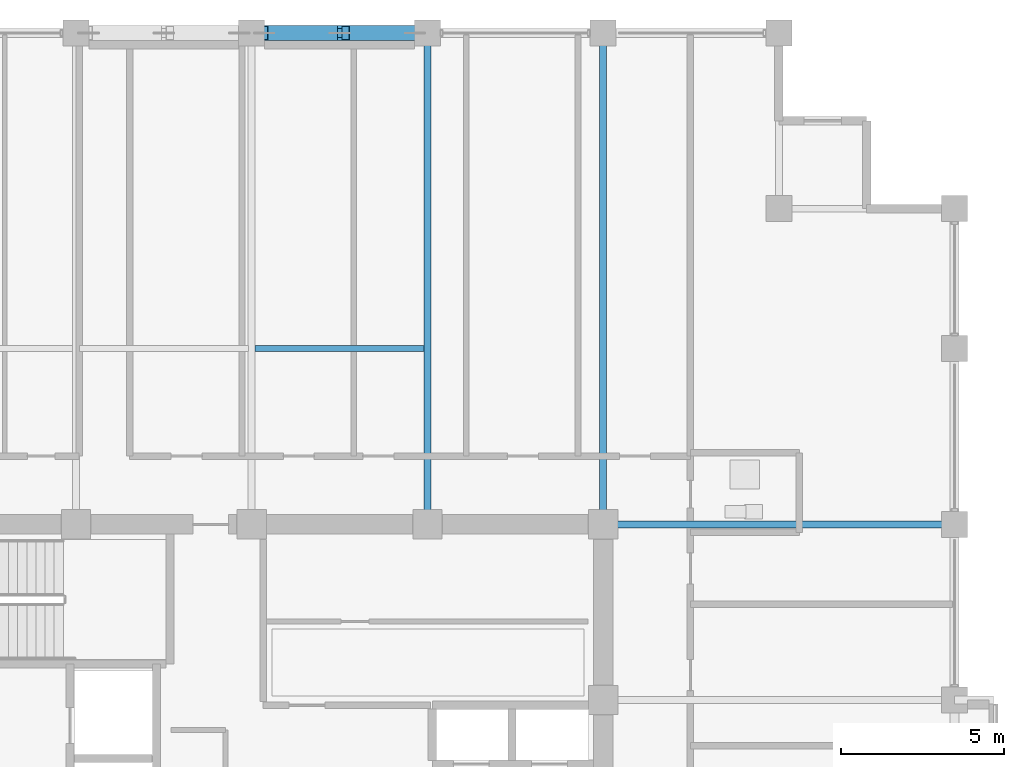
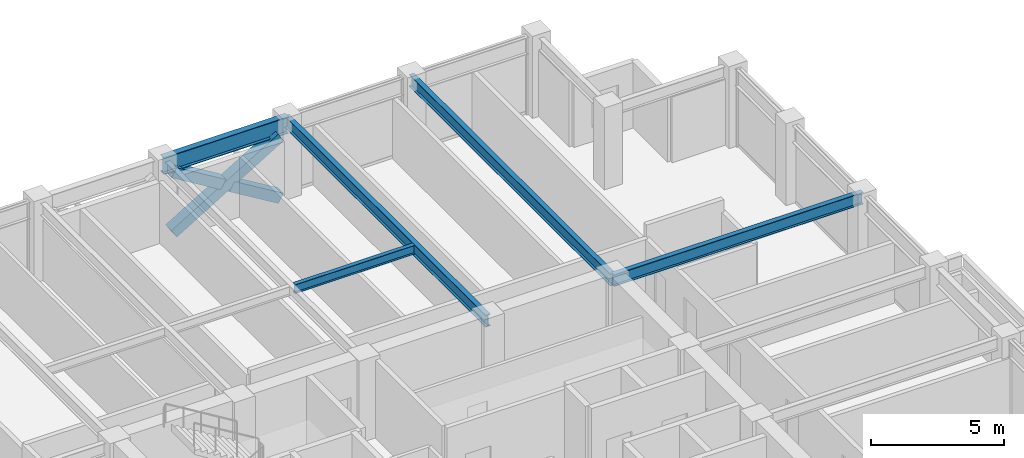
# One storey, part 18 of 28: 5 beams, 3 members.
"""IFC4 building model written with IfcOpenShell, lengths in metres."""

import ifcopenshell
import ifcopenshell.guid

model = None  # the IFC model being written
_history = None  # IfcOwnerHistory: only IFC2X3 demands one
_inside = {}  # id of a spatial element -> (the spatial element, [elements in it])
_under = {}  # id of a project, library or spatial element -> (it, [spatial elements below it])
_declared = {}  # id of a project -> (the project, [libraries it declares])
_typed = {}  # id of a type object -> (the type object, [elements of that type])
_made_of = {}  # id of a material, layer set ... -> (it, [elements and type objects made of it])


def new_model(schema):
    """Start an empty IFC model of exactly this schema.

    Asked for "IFC4X3", IfcOpenShell would pick the latest addendum, in which some entities
    have other attributes; the version numbers below select the first issue.
    IFC2X3 requires an IfcOwnerHistory on every rooted entity: one is made here for all.
    """
    global model, _history
    if schema == "IFC4X3":
        model = ifcopenshell.file(schema_version=(4, 3, 0, 0))
    else:
        model = ifcopenshell.file(schema=schema)
    _inside.clear()
    _under.clear()
    _declared.clear()
    _typed.clear()
    _made_of.clear()
    _history = None
    if model.schema == "IFC2X3":
        org = make("IfcOrganization", Name="unknown")
        user = make(
            "IfcPersonAndOrganization",
            ThePerson=make("IfcPerson", FamilyName="unknown"),
            TheOrganization=org,
        )
        app = make(
            "IfcApplication",
            ApplicationDeveloper=org,
            Version="unknown",
            ApplicationFullName="unknown",
            ApplicationIdentifier="unknown",
        )
        _history = make(
            "IfcOwnerHistory",
            OwningUser=user,
            OwningApplication=app,
            ChangeAction="ADDED",
            CreationDate=0,
        )
    return model


def make(cls, **values):
    """One entity of the class cls with the attributes given. An attribute that is None is left unset."""
    return model.create_entity(
        cls, **{name: value for name, value in values.items() if value is not None}
    )


def rooted(cls, **values):
    """An entity with a GlobalId (a new one), such as an element, a storey or a relation."""
    return make(cls, GlobalId=ifcopenshell.guid.new(), OwnerHistory=_history, **values)


def si_unit(unit_type, name, prefix=None):
    """IfcSIUnit, for example si_unit("LENGTHUNIT", "METRE", prefix="MILLI")."""
    return make("IfcSIUnit", UnitType=unit_type, Prefix=prefix, Name=name)


def assignment(units):
    """IfcUnitAssignment: the units of a project."""
    return None if units is None else make("IfcUnitAssignment", Units=units)


def point(xyz):
    """IfcCartesianPoint."""
    return None if xyz is None else make("IfcCartesianPoint", Coordinates=xyz)


def direction(xyz):
    """IfcDirection."""
    return None if xyz is None else make("IfcDirection", DirectionRatios=xyz)


def frame(location, z_axis=None, x_axis=None):
    """IfcAxis2Placement3D, a coordinate frame: its origin and axes. An axis left out is left unset."""
    return make(
        "IfcAxis2Placement3D",
        Location=point(location),
        Axis=direction(z_axis),
        RefDirection=direction(x_axis),
    )


def frame_2d(location, x_axis=None):
    """IfcAxis2Placement2D, a coordinate frame in the plane: its origin and x axis."""
    return make(
        "IfcAxis2Placement2D", Location=point(location), RefDirection=direction(x_axis)
    )


def origin():
    """The frame at (0, 0, 0) with its axes left unset."""
    return frame((0.0, 0.0, 0.0))


def origin_2d():
    """The frame at (0, 0) in the plane with its x axis left unset."""
    return frame_2d((0.0, 0.0))


def place(relative_to, where):
    """IfcLocalPlacement: puts the frame where relative to a parent placement (None: the world)."""
    return make(
        "IfcLocalPlacement", PlacementRelTo=relative_to, RelativePlacement=where
    )


def context(
    kind, dimensions, precision=None, world=None, true_north=None, identifier=None
):
    """IfcGeometricRepresentationContext, for example the 3D "Model" context."""
    return make(
        "IfcGeometricRepresentationContext",
        ContextIdentifier=identifier,
        ContextType=kind,
        CoordinateSpaceDimension=dimensions,
        Precision=precision,
        WorldCoordinateSystem=world,
        TrueNorth=true_north,
    )


def subcontext(parent, identifier, kind, view, scale=None):
    """IfcGeometricRepresentationSubContext, for example "Body" below "Model"."""
    return make(
        "IfcGeometricRepresentationSubContext",
        ContextIdentifier=identifier,
        ContextType=kind,
        ParentContext=parent,
        TargetScale=scale,
        TargetView=view,
    )


def project(units=None, contexts=None):
    """IfcProject with its units and contexts."""
    return rooted(
        "IfcProject",
        Name="project",
        RepresentationContexts=contexts,
        UnitsInContext=assignment(units),
    )


def spatial(cls, under=None, at=None, **own):
    """A site, building, storey or space (cls), placed at a placement, below another one or the project."""
    s = rooted(cls, ObjectPlacement=at, **own)
    if under is not None:
        _under.setdefault(under.id(), (under, []))[1].append(s)
    return s


def profile(cls, at=None, kind="AREA", **sizes):
    """A parametric profile (cls). Its sizes go by their IFC names, for example OverallWidth=200.0."""
    return make(cls, ProfileType=kind, Position=at, **sizes)


def hollow_rectangle(**sizes):
    """IfcRectangleHollowProfileDef."""
    return profile("IfcRectangleHollowProfileDef", **sizes)


def i_section(**sizes):
    """IfcIShapeProfileDef."""
    return profile("IfcIShapeProfileDef", **sizes)


def extrude(swept, where, along, depth):
    """IfcExtrudedAreaSolid: the profile swept, set in the frame where, extruded along a direction by depth."""
    return make(
        "IfcExtrudedAreaSolid",
        SweptArea=swept,
        Position=where,
        ExtrudedDirection=direction(along),
        Depth=depth,
    )


def shape(context_of_items, identifier, shape_type, items):
    """IfcShapeRepresentation: the items that make up one representation, for example the "Body"."""
    return make(
        "IfcShapeRepresentation",
        ContextOfItems=context_of_items,
        RepresentationIdentifier=identifier,
        RepresentationType=shape_type,
        Items=items,
    )


def material(Name=None, Category=None):
    """IfcMaterial."""
    return make("IfcMaterial", Name=Name, Category=Category)


def material_profile(
    of_material, cross_section, Name=None, Category=None, Priority=None
):
    """IfcMaterialProfile: a cross section and its material."""
    return make(
        "IfcMaterialProfile",
        Name=Name,
        Material=of_material,
        Profile=cross_section,
        Priority=Priority,
        Category=Category,
    )


def profile_set(profiles, Name=None, composite=None):
    """IfcMaterialProfileSet."""
    return make(
        "IfcMaterialProfileSet",
        Name=Name,
        MaterialProfiles=profiles,
        CompositeProfile=composite,
    )


def made_of(thing, what):
    """Note that an element or type object is made of a material, layer set ...; save() writes the relation."""
    if what is not None:
        _made_of.setdefault(what.id(), (what, []))[1].append(thing)
    return thing


def type_object(cls, material=None, **own):
    """A type object (cls), such as IfcWallType, which elements share."""
    return made_of(rooted(cls, **own), material)


def element(
    cls,
    number,
    at=None,
    inside=None,
    cuts=None,
    type_object=None,
    material=None,
    context=None,
    identifier="Body",
    shape_type=None,
    held_by="IfcProductDefinitionShape",
    body=None,
    shapes=None,
    **own,
):
    """One element of the class cls, such as IfcWall. Its Tag is "e" and its number.

    at: its placement. inside: the storey or other place that contains it. cuts: it is an
    opening in that element (IfcRelVoidsElement). A single representation is given by context,
    identifier, shape_type and body (its items); several are given by shapes. held_by: the class
    of the entity that holds the representations. save() writes the other relations.
    """
    e = rooted(cls, Tag="e%d" % number, ObjectPlacement=at, **own)
    if body is not None:
        shapes = [shape(context, identifier, shape_type, body)]
    if shapes is not None:
        e.Representation = make(held_by, Representations=shapes)
    if inside is not None:
        _inside.setdefault(inside.id(), (inside, []))[1].append(e)
    if cuts is not None:
        rooted(
            "IfcRelVoidsElement", RelatingBuildingElement=cuts, RelatedOpeningElement=e
        )
    if type_object is not None:
        _typed.setdefault(type_object.id(), (type_object, []))[1].append(e)
    return made_of(e, material)


def aggregate(whole, parts):
    """IfcRelAggregates: a whole, such as a stair, and the parts it consists of."""
    return rooted("IfcRelAggregates", RelatingObject=whole, RelatedObjects=parts)


def save(model, path):
    """Write the relations noted so far, then the file.

    IfcRelAggregates (storeys below a building ...), IfcRelContainedInSpatialStructure (elements
    in a storey), IfcRelDefinesByType, IfcRelAssociatesMaterial and IfcRelDeclares: one each for
    every whole, place, type object, material and project.
    """
    for whole, parts in _under.values():
        aggregate(whole, parts)
    for where, things in _inside.values():
        rooted(
            "IfcRelContainedInSpatialStructure",
            RelatedElements=things,
            RelatingStructure=where,
        )
    for kind, things in _typed.values():
        rooted("IfcRelDefinesByType", RelatedObjects=things, RelatingType=kind)
    for what, things in _made_of.values():
        rooted("IfcRelAssociatesMaterial", RelatedObjects=things, RelatingMaterial=what)
    for by, libraries in _declared.values():
        rooted("IfcRelDeclares", RelatingContext=by, RelatedDefinitions=libraries)
    model.write(path)


model = new_model("IFC4")

# Units and contexts
model_context = context("Model", 3, precision=1e-05, world=origin(), true_north=direction((0.0, 1.0)))
body_context = subcontext(model_context, "Body", "Model", "MODEL_VIEW")
ifc_project = project(units=[si_unit("LENGTHUNIT", "METRE"), si_unit("AREAUNIT", "SQUARE_METRE"), si_unit("VOLUMEUNIT", "CUBIC_METRE"), si_unit("PLANEANGLEUNIT", "RADIAN"), si_unit("MASSUNIT", "GRAM", prefix="KILO")], contexts=[model_context])

# Site, building, storey
site_placement = place(None, origin())
site = spatial("IfcSite", under=ifc_project, at=site_placement, CompositionType="ELEMENT")
building_placement = place(site_placement, origin())
building = spatial("IfcBuilding", under=site, at=building_placement, Name="Surkhivell Harbour Commons", CompositionType="ELEMENT")
storey_placement = place(building_placement, frame((0.0, 0.0, 242.25)))
storey = spatial("IfcBuildingStorey", under=building, at=storey_placement, Name="L63", CompositionType="ELEMENT", Elevation=242.25)

# Beams
ifc_material_1 = material(Name="Steel S355", Category="steel")
ifc_material_profile_1 = material_profile(ifc_material_1, i_section(OverallWidth=0.2119140625, OverallDepth=0.5439453125, WebThickness=0.0126953125, FlangeThickness=0.021240234375, at=origin_2d()), Name="UB533x210x122")
ifc_profile_set_1 = profile_set([ifc_material_profile_1], Name="Steel S355")
beam_type_1 = type_object("IfcBeamType", Name="BM-GRD-533A", PredefinedType="BEAM", material=ifc_profile_set_1)
for number, where, z_axis, x_axis, name in (
    (1, (5.39990234375, 10.800048828125, 3.298095703125), (0.0, 1.0, 0.0), (-1.0, 0.0, 0.0), "L63 Floor Girder (5.4,10.8)"),
    (2, (10.800048828125, 10.800048828125, 3.298095703125), (0.0, 1.0, 0.0), (-1.0, 0.0, 0.0), "L63 Floor Girder (10.8,10.8)"),
):
    element("IfcBeam", number, at=place(storey_placement, frame(where, z_axis=z_axis, x_axis=x_axis)), inside=storey, type_object=beam_type_1, Name=name, PredefinedType="BEAM", context=body_context, shape_type="SweptSolid", body=[
        extrude(i_section(OverallWidth=0.2119140625, OverallDepth=0.5439453125, WebThickness=0.0126953125, FlangeThickness=0.021240234375, at=origin_2d()), origin(), (0.0, 0.0, 1.0), 15.099853515625),
    ])
beam_1_placement = place(storey_placement, frame((10.800048828125, 10.800048828125, 3.298095703125), z_axis=(1.0, 0.0, 0.0), x_axis=(0.0, 1.0, 0.0)))
element("IfcBeam", 3, at=beam_1_placement, inside=storey, type_object=beam_type_1, Name="L63 Floor Girder (10.8,10.8)", PredefinedType="BEAM", context=body_context, shape_type="SweptSolid", body=[
    extrude(i_section(OverallWidth=0.2119140625, OverallDepth=0.5439453125, WebThickness=0.0126953125, FlangeThickness=0.021240234375, at=origin_2d()), origin(), (0.0, 0.0, 1.0), 10.800048828125),
])
ifc_material_profile_2 = material_profile(ifc_material_1, i_section(OverallWidth=0.178955078125, OverallDepth=0.408935546875, WebThickness=0.0087890625, FlangeThickness=0.014404296875, at=origin_2d()), Name="UB406x178x67")
ifc_profile_set_2 = profile_set([ifc_material_profile_2], Name="Steel S355")
beam_type_2 = type_object("IfcBeamType", Name="BM-JST-406", PredefinedType="JOIST", material=ifc_profile_set_2)
beam_2_placement = place(storey_placement, frame((0.10400390625, 16.199951171875, 3.365478515625), z_axis=(1.0, 0.0, 0.0), x_axis=(0.0, 1.0, 0.0)))
element("IfcBeam", 4, at=beam_2_placement, inside=storey, type_object=beam_type_2, Name="L63 North Composite Joist (0.0)", PredefinedType="JOIST", context=body_context, shape_type="SweptSolid", body=[
    extrude(i_section(OverallWidth=0.178955078125, OverallDepth=0.408935546875, WebThickness=0.0087890625, FlangeThickness=0.014404296875, at=origin_2d()), origin(), (0.0, 0.0, 1.0), 5.19189453125),
])
ifc_material_profile_3 = material_profile(ifc_material_1, i_section(OverallWidth=0.26806640625, OverallDepth=0.77001953125, WebThickness=0.015625, FlangeThickness=0.025390625, at=origin_2d()), Name="UB762x267x197")
ifc_profile_set_3 = profile_set([ifc_material_profile_3], Name="Steel S355")
beam_type_3 = type_object("IfcBeamType", Name="BM-SPN-762", PredefinedType="SPANDREL", material=ifc_profile_set_3)
beam_3_placement = place(storey_placement, frame((0.0, 25.89990234375, 3.18505859375), z_axis=(1.0, 0.0, 0.0), x_axis=(0.0, 1.0, 0.0)))
element("IfcBeam", 5, at=beam_3_placement, inside=storey, type_object=beam_type_3, Name="L63 Tube Spandrel (-0.0,25.9)", PredefinedType="SPANDREL", context=body_context, shape_type="SweptSolid", body=[
    extrude(i_section(OverallWidth=0.26806640625, OverallDepth=0.77001953125, WebThickness=0.015625, FlangeThickness=0.025390625, at=origin_2d()), origin(), (0.0, 0.0, 1.0), 5.39990234375),
])

# Members
ifc_material_2 = material(Name="Steel S460", Category="steel")
ifc_material_profile_4 = material_profile(ifc_material_2, hollow_rectangle(XDim=0.449951171875, YDim=0.449951171875, WallThickness=0.02197265625, at=origin_2d()), Name="SHS450x450x22")
ifc_profile_set_4 = profile_set([ifc_material_profile_4], Name="Steel S460")
member_type = type_object("IfcMemberType", Name="MEM-BRC-SHS450", PredefinedType="BRACE", material=ifc_profile_set_4)
member_1_placement = place(storey_placement, frame((0.385009765625, 25.89990234375, 0.008056640625), z_axis=(0.856023742961, 0.0, 0.516936506243), x_axis=(0.0, 1.0, 0.0)))
element("IfcMember", 6, at=member_1_placement, inside=storey, type_object=member_type, Name="L63 Perimeter Mega-Brace MB- 04", PredefinedType="BRACE", context=body_context, shape_type="SweptSolid", body=[
    extrude(hollow_rectangle(XDim=0.449951171875, YDim=0.449951171875, WallThickness=0.02197265625, at=origin_2d()), origin(), (0.0, 0.0, 1.0), 5.40869140625),
])
member_2_placement = place(storey_placement, frame((5.014892578125, 25.89990234375, 0.008056640625), z_axis=(-0.856034952881, 0.0, 0.516917942662), x_axis=(0.0, -1.0, 0.0)))
element("IfcMember", 7, at=member_2_placement, inside=storey, type_object=member_type, Name="L63 Perimeter Mega-Brace MB- 05", PredefinedType="BRACE", context=body_context, shape_type="SweptSolid", body=[
    extrude(hollow_rectangle(XDim=0.449951171875, YDim=0.449951171875, WallThickness=0.02197265625, at=origin_2d()), origin(), (0.0, 0.0, 1.0), 2.488037109375),
])
member_3_placement = place(storey_placement, frame((2.51513671875, 25.89990234375, 1.517578125), z_axis=(-0.856017753989, 0.0, 0.516946423584), x_axis=(0.0, -1.0, 0.0)))
element("IfcMember", 8, at=member_3_placement, inside=storey, type_object=member_type, Name="L63 Perimeter Mega-Brace MB- 06", PredefinedType="BRACE", context=body_context, shape_type="SweptSolid", body=[
    extrude(hollow_rectangle(XDim=0.449951171875, YDim=0.449951171875, WallThickness=0.02197265625, at=origin_2d()), origin(), (0.0, 0.0, 1.0), 2.488525390625),
])

save(model, "model.ifc")
